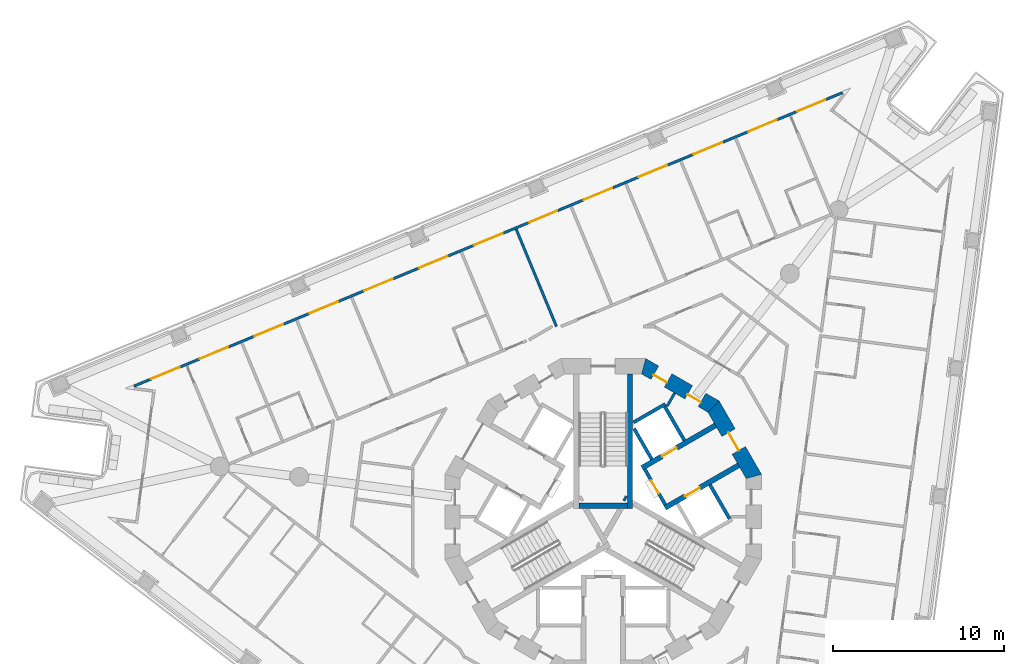
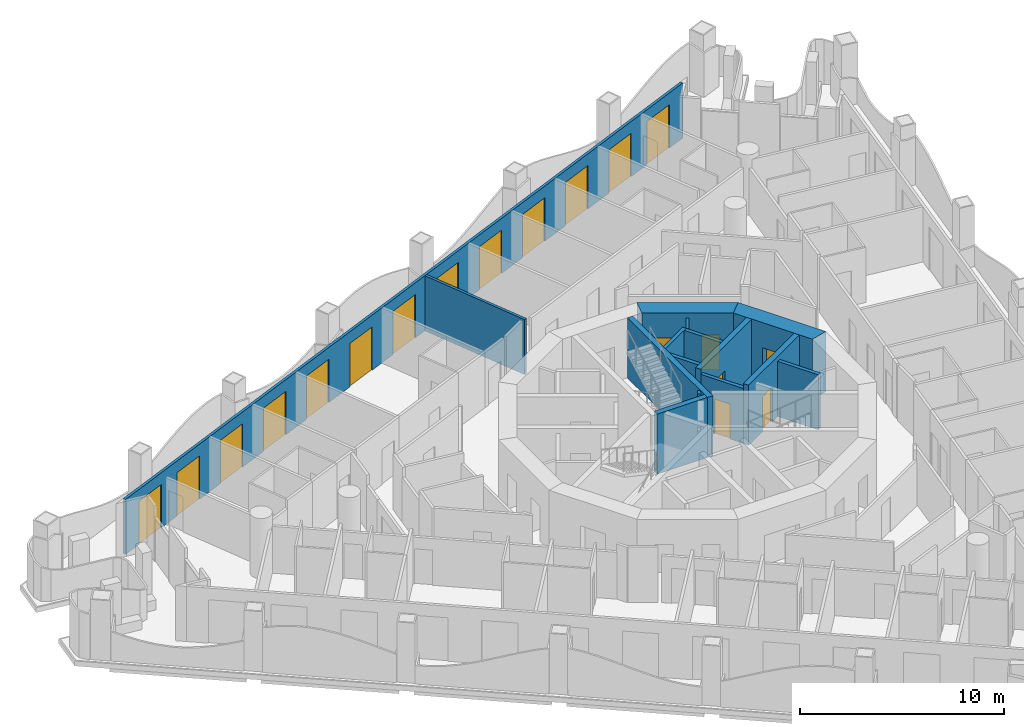
# One storey, part 8 of 17: 19 doors, 15 walls, 19 openings.
"""IFC4 building model written with IfcOpenShell, lengths in metres."""

from ifc_helpers import new_model, si_unit, direction, frame, frame_2d, origin, place, context, subcontext, project, spatial, polyline, rectangle, outline, extrude, material, layer, layer_set, type_object, element, fill, save


model = new_model("IFC4")

# Units and contexts
model_context = context("Model", 3, precision=1e-05, world=origin(), true_north=direction((0.0, 1.0)))
body_context = subcontext(model_context, "Body", "Model", "MODEL_VIEW")
ifc_project = project(units=[si_unit("LENGTHUNIT", "METRE"), si_unit("AREAUNIT", "SQUARE_METRE"), si_unit("VOLUMEUNIT", "CUBIC_METRE"), si_unit("PLANEANGLEUNIT", "RADIAN"), si_unit("MASSUNIT", "GRAM", prefix="KILO")], contexts=[model_context])

# Site, building, storey
site_placement = place(None, origin())
site = spatial("IfcSite", under=ifc_project, at=site_placement, CompositionType="ELEMENT")
building_placement = place(site_placement, origin())
building = spatial("IfcBuilding", under=site, at=building_placement, Name="Trine Commons Tower", CompositionType="ELEMENT")
storey_placement = place(building_placement, frame((0.0, 0.0, 131.39990234375)))
storey = spatial("IfcBuildingStorey", under=building, at=storey_placement, Name="L33", CompositionType="ELEMENT", Elevation=131.39990234375)

# Wall
ifc_material_1 = material(Name="Plasterboard partition on steel studs", Category="steel")
ifc_layer_1 = layer(ifc_material_1, 0.14990234375)
ifc_layer_set_1 = layer_set([ifc_layer_1], Name="Plasterboard partition on steel studs")
wall_type_1 = type_object("IfcWallType", Name="Core room partition 150 mm, EI 60", PredefinedType="PARTITIONING", material=ifc_layer_set_1)
wall_1_placement = place(storey_placement, frame((84.18603515625, 69.7509765625, 0.0), z_axis=(0.0, 0.0, 1.0), x_axis=(-0.499890179513, -0.866088799389, 0.0)))
element("IfcWall", 1, at=wall_1_placement, inside=storey, type_object=wall_type_1, Name="Core room partition L33", PredefinedType="PARTITIONING", context=body_context, shape_type="SweptSolid", body=[
    extrude(rectangle(XDim=0.882080078125, YDim=0.14990234375, at=frame_2d((0.44091796875, 0.0))), origin(), (0.0, 0.0, 1.0), 3.300048828125),
])

# Wall, openings, doors
ifc_material_2 = material(Name="Aluminium-framed insulated wall panel", Category="aluminium")
ifc_layer_2 = layer(ifc_material_2, 0.14990234375)
ifc_layer_set_2 = layer_set([ifc_layer_2], Name="Aluminium-framed insulated wall panel")
wall_type_2 = type_object("IfcWallType", Name="Glazed frame wall 150, EI 60", PredefinedType="SOLIDWALL", material=ifc_layer_set_2)
wall_2_placement = place(storey_placement, frame((52.38671875, 70.099609375, 0.0), z_axis=(0.0, 0.0, 1.0), x_axis=(0.92388051416, 0.382681062447, 0.0)))
wall_2 = element("IfcWall", 2, at=wall_2_placement, inside=storey, type_object=wall_type_2, Name="Glazed frame wall F1", PredefinedType="SOLIDWALL", context=body_context, shape_type="SweptSolid", body=[
    extrude(outline(polyline([(0.1494140625, 0.074951171875), (0.1494140625, -0.074951171875), (45.056884765625, -0.074951171875), (45.056884765625, 0.074951171875), (0.1494140625, 0.074951171875)])), origin(), (0.0, 0.0, 1.0), 3.300048828125),
])
opening_1_placement = place(wall_2_placement, frame((1.23876953125, 0.0, 0.0)))
opening_1 = element("IfcOpeningElement", 3, at=opening_1_placement, cuts=wall_2, Name="Opening BD-4F1-01", PredefinedType="OPENING", context=body_context, shape_type="SweptSolid", body=[
    extrude(rectangle(XDim=1.800048828125, YDim=2.60009765625, at=frame_2d((0.89990234375, 1.300048828125))), frame((0.0, 0.0849609375, 0.0), z_axis=(0.0, -1.0, 0.0), x_axis=(1.0, 0.0, 0.0)), (0.0, 0.0, 1.0), 0.169921875),
])
opening_2_placement = place(wall_2_placement, frame((4.316162109375, 0.0, 0.0)))
opening_2 = element("IfcOpeningElement", 4, at=opening_2_placement, cuts=wall_2, Name="Opening BD-4F1-02", PredefinedType="OPENING", context=body_context, shape_type="SweptSolid", body=[
    extrude(rectangle(XDim=1.800048828125, YDim=2.60009765625, at=frame_2d((0.89990234375, 1.300048828125))), frame((0.0, 0.0849609375, 0.0), z_axis=(0.0, -1.0, 0.0), x_axis=(1.0, 0.0, 0.0)), (0.0, 0.0, 1.0), 0.169921875),
])
opening_3_placement = place(wall_2_placement, frame((7.79345703125, 0.0, 0.0)))
opening_3 = element("IfcOpeningElement", 5, at=opening_3_placement, cuts=wall_2, Name="Opening BD-4F1-03", PredefinedType="OPENING", context=body_context, shape_type="SweptSolid", body=[
    extrude(rectangle(XDim=1.800048828125, YDim=2.60009765625, at=frame_2d((0.89990234375, 1.300048828125))), frame((0.0, 0.0849609375, 0.0), z_axis=(0.0, -1.0, 0.0), x_axis=(1.0, 0.0, 0.0)), (0.0, 0.0, 1.0), 0.169921875),
])
opening_4_placement = place(wall_2_placement, frame((11.27099609375, 0.0, 0.0)))
opening_4 = element("IfcOpeningElement", 6, at=opening_4_placement, cuts=wall_2, Name="Opening BD-4F1-04", PredefinedType="OPENING", context=body_context, shape_type="SweptSolid", body=[
    extrude(rectangle(XDim=1.800048828125, YDim=2.60009765625, at=frame_2d((0.89990234375, 1.300048828125))), frame((0.0, 0.0849609375, 0.0), z_axis=(0.0, -1.0, 0.0), x_axis=(1.0, 0.0, 0.0)), (0.0, 0.0, 1.0), 0.169921875),
])
opening_5_placement = place(wall_2_placement, frame((14.748291015625, 0.0, 0.0)))
opening_5 = element("IfcOpeningElement", 7, at=opening_5_placement, cuts=wall_2, Name="Opening BD-4F1-05", PredefinedType="OPENING", context=body_context, shape_type="SweptSolid", body=[
    extrude(rectangle(XDim=1.800048828125, YDim=2.60009765625, at=frame_2d((0.89990234375, 1.300048828125))), frame((0.0, 0.0849609375, 0.0), z_axis=(0.0, -1.0, 0.0), x_axis=(1.0, 0.0, 0.0)), (0.0, 0.0, 1.0), 0.169921875),
])
opening_6_placement = place(wall_2_placement, frame((18.2255859375, 0.0, 0.0)))
opening_6 = element("IfcOpeningElement", 8, at=opening_6_placement, cuts=wall_2, Name="Opening BD-4F1-06", PredefinedType="OPENING", context=body_context, shape_type="SweptSolid", body=[
    extrude(rectangle(XDim=1.800048828125, YDim=2.60009765625, at=frame_2d((0.89990234375, 1.300048828125))), frame((0.0, 0.0849609375, 0.0), z_axis=(0.0, -1.0, 0.0), x_axis=(1.0, 0.0, 0.0)), (0.0, 0.0, 1.0), 0.169921875),
])
opening_7_placement = place(wall_2_placement, frame((21.703125, 0.0, 0.0)))
opening_7 = element("IfcOpeningElement", 9, at=opening_7_placement, cuts=wall_2, Name="Opening BD-4F1-07", PredefinedType="OPENING", context=body_context, shape_type="SweptSolid", body=[
    extrude(rectangle(XDim=1.800048828125, YDim=2.60009765625, at=frame_2d((0.89990234375, 1.300048828125))), frame((0.0, 0.0849609375, 0.0), z_axis=(0.0, -1.0, 0.0), x_axis=(1.0, 0.0, 0.0)), (0.0, 0.0, 1.0), 0.169921875),
])
opening_8_placement = place(wall_2_placement, frame((25.180419921875, 0.0, 0.0)))
opening_8 = element("IfcOpeningElement", 10, at=opening_8_placement, cuts=wall_2, Name="Opening BD-4F1-08", PredefinedType="OPENING", context=body_context, shape_type="SweptSolid", body=[
    extrude(rectangle(XDim=1.800048828125, YDim=2.60009765625, at=frame_2d((0.89990234375, 1.300048828125))), frame((0.0, 0.0849609375, 0.0), z_axis=(0.0, -1.0, 0.0), x_axis=(1.0, 0.0, 0.0)), (0.0, 0.0, 1.0), 0.169921875),
])
opening_9_placement = place(wall_2_placement, frame((28.657958984375, 0.0, 0.0)))
opening_9 = element("IfcOpeningElement", 11, at=opening_9_placement, cuts=wall_2, Name="Opening BD-4F1-09", PredefinedType="OPENING", context=body_context, shape_type="SweptSolid", body=[
    extrude(rectangle(XDim=1.800048828125, YDim=2.60009765625, at=frame_2d((0.89990234375, 1.300048828125))), frame((0.0, 0.0849609375, 0.0), z_axis=(0.0, -1.0, 0.0), x_axis=(1.0, 0.0, 0.0)), (0.0, 0.0, 1.0), 0.169921875),
])
opening_10_placement = place(wall_2_placement, frame((32.13525390625, 0.0, 0.0)))
opening_10 = element("IfcOpeningElement", 12, at=opening_10_placement, cuts=wall_2, Name="Opening BD-4F1-10", PredefinedType="OPENING", context=body_context, shape_type="SweptSolid", body=[
    extrude(rectangle(XDim=1.800048828125, YDim=2.60009765625, at=frame_2d((0.89990234375, 1.300048828125))), frame((0.0, 0.0849609375, 0.0), z_axis=(0.0, -1.0, 0.0), x_axis=(1.0, 0.0, 0.0)), (0.0, 0.0, 1.0), 0.169921875),
])
opening_11_placement = place(wall_2_placement, frame((35.61279296875, 0.0, 0.0)))
opening_11 = element("IfcOpeningElement", 13, at=opening_11_placement, cuts=wall_2, Name="Opening BD-4F1-11", PredefinedType="OPENING", context=body_context, shape_type="SweptSolid", body=[
    extrude(rectangle(XDim=1.800048828125, YDim=2.60009765625, at=frame_2d((0.89990234375, 1.300048828125))), frame((0.0, 0.0849609375, 0.0), z_axis=(0.0, -1.0, 0.0), x_axis=(1.0, 0.0, 0.0)), (0.0, 0.0, 1.0), 0.169921875),
])
opening_12_placement = place(wall_2_placement, frame((39.090087890625, 0.0, 0.0)))
opening_12 = element("IfcOpeningElement", 14, at=opening_12_placement, cuts=wall_2, Name="Opening BD-4F1-12", PredefinedType="OPENING", context=body_context, shape_type="SweptSolid", body=[
    extrude(rectangle(XDim=1.800048828125, YDim=2.60009765625, at=frame_2d((0.89990234375, 1.300048828125))), frame((0.0, 0.0849609375, 0.0), z_axis=(0.0, -1.0, 0.0), x_axis=(1.0, 0.0, 0.0)), (0.0, 0.0, 1.0), 0.169921875),
])
opening_13_placement = place(wall_2_placement, frame((42.16748046875, 0.0, 0.0)))
opening_13 = element("IfcOpeningElement", 15, at=opening_13_placement, cuts=wall_2, Name="Opening BD-4F1-13", PredefinedType="OPENING", context=body_context, shape_type="SweptSolid", body=[
    extrude(rectangle(XDim=1.800048828125, YDim=2.60009765625, at=frame_2d((0.89990234375, 1.300048828125))), frame((0.0, 0.0849609375, 0.0), z_axis=(0.0, -1.0, 0.0), x_axis=(1.0, 0.0, 0.0)), (0.0, 0.0, 1.0), 0.169921875),
])
ifc_material_3 = material(Name="Anodised aluminium frame with double glazing", Category="aluminium")
door_type_1 = type_object("IfcDoorType", Name="Sliding loggia door 1800x2600", OperationType="SLIDING_TO_LEFT", PredefinedType="DOOR", material=ifc_material_3)
door_1_placement = place(opening_1_placement, origin())
door_1 = element("IfcDoor", 16, at=door_1_placement, inside=storey, type_object=door_type_1, Name="Loggia door F1 1", OperationType="SLIDING_TO_LEFT", OverallHeight=2.60009765625, OverallWidth=1.800048828125, PredefinedType="DOOR", context=body_context, shape_type="SweptSolid", body=[
    extrude(rectangle(XDim=1.800048828125, YDim=2.60009765625, at=frame_2d((0.89990234375, 1.300048828125))), frame((0.0, 0.02490234375, 0.0), z_axis=(0.0, -1.0, 0.0), x_axis=(1.0, 0.0, 0.0)), (0.0, 0.0, 1.0), 0.050048828125),
])
fill(opening_1, door_1)
door_2_placement = place(opening_2_placement, origin())
door_2 = element("IfcDoor", 17, at=door_2_placement, inside=storey, type_object=door_type_1, Name="Loggia door F1 2", OperationType="SLIDING_TO_LEFT", OverallHeight=2.60009765625, OverallWidth=1.800048828125, PredefinedType="DOOR", context=body_context, shape_type="SweptSolid", body=[
    extrude(rectangle(XDim=1.800048828125, YDim=2.60009765625, at=frame_2d((0.89990234375, 1.300048828125))), frame((0.0, 0.02490234375, 0.0), z_axis=(0.0, -1.0, 0.0), x_axis=(1.0, 0.0, 0.0)), (0.0, 0.0, 1.0), 0.050048828125),
])
fill(opening_2, door_2)
door_3_placement = place(opening_3_placement, origin())
door_3 = element("IfcDoor", 18, at=door_3_placement, inside=storey, type_object=door_type_1, Name="Loggia door F1 3", OperationType="SLIDING_TO_LEFT", OverallHeight=2.60009765625, OverallWidth=1.800048828125, PredefinedType="DOOR", context=body_context, shape_type="SweptSolid", body=[
    extrude(rectangle(XDim=1.800048828125, YDim=2.60009765625, at=frame_2d((0.89990234375, 1.300048828125))), frame((0.0, 0.02490234375, 0.0), z_axis=(0.0, -1.0, 0.0), x_axis=(1.0, 0.0, 0.0)), (0.0, 0.0, 1.0), 0.050048828125),
])
fill(opening_3, door_3)
door_4_placement = place(opening_4_placement, origin())
door_4 = element("IfcDoor", 19, at=door_4_placement, inside=storey, type_object=door_type_1, Name="Loggia door F1 4", OperationType="SLIDING_TO_LEFT", OverallHeight=2.60009765625, OverallWidth=1.800048828125, PredefinedType="DOOR", context=body_context, shape_type="SweptSolid", body=[
    extrude(rectangle(XDim=1.800048828125, YDim=2.60009765625, at=frame_2d((0.89990234375, 1.300048828125))), frame((0.0, 0.02490234375, 0.0), z_axis=(0.0, -1.0, 0.0), x_axis=(1.0, 0.0, 0.0)), (0.0, 0.0, 1.0), 0.050048828125),
])
fill(opening_4, door_4)
door_5_placement = place(opening_5_placement, origin())
door_5 = element("IfcDoor", 20, at=door_5_placement, inside=storey, type_object=door_type_1, Name="Loggia door F1 5", OperationType="SLIDING_TO_LEFT", OverallHeight=2.60009765625, OverallWidth=1.800048828125, PredefinedType="DOOR", context=body_context, shape_type="SweptSolid", body=[
    extrude(rectangle(XDim=1.800048828125, YDim=2.60009765625, at=frame_2d((0.89990234375, 1.300048828125))), frame((0.0, 0.02490234375, 0.0), z_axis=(0.0, -1.0, 0.0), x_axis=(1.0, 0.0, 0.0)), (0.0, 0.0, 1.0), 0.050048828125),
])
fill(opening_5, door_5)
door_6_placement = place(opening_6_placement, origin())
door_6 = element("IfcDoor", 21, at=door_6_placement, inside=storey, type_object=door_type_1, Name="Loggia door F1 6", OperationType="SLIDING_TO_LEFT", OverallHeight=2.60009765625, OverallWidth=1.800048828125, PredefinedType="DOOR", context=body_context, shape_type="SweptSolid", body=[
    extrude(rectangle(XDim=1.800048828125, YDim=2.60009765625, at=frame_2d((0.89990234375, 1.300048828125))), frame((0.0, 0.02490234375, 0.0), z_axis=(0.0, -1.0, 0.0), x_axis=(1.0, 0.0, 0.0)), (0.0, 0.0, 1.0), 0.050048828125),
])
fill(opening_6, door_6)
door_7_placement = place(opening_7_placement, origin())
door_7 = element("IfcDoor", 22, at=door_7_placement, inside=storey, type_object=door_type_1, Name="Loggia door F1 7", OperationType="SLIDING_TO_LEFT", OverallHeight=2.60009765625, OverallWidth=1.800048828125, PredefinedType="DOOR", context=body_context, shape_type="SweptSolid", body=[
    extrude(rectangle(XDim=1.800048828125, YDim=2.60009765625, at=frame_2d((0.89990234375, 1.300048828125))), frame((0.0, 0.02490234375, 0.0), z_axis=(0.0, -1.0, 0.0), x_axis=(1.0, 0.0, 0.0)), (0.0, 0.0, 1.0), 0.050048828125),
])
fill(opening_7, door_7)
door_8_placement = place(opening_8_placement, origin())
door_8 = element("IfcDoor", 23, at=door_8_placement, inside=storey, type_object=door_type_1, Name="Loggia door F1 8", OperationType="SLIDING_TO_LEFT", OverallHeight=2.60009765625, OverallWidth=1.800048828125, PredefinedType="DOOR", context=body_context, shape_type="SweptSolid", body=[
    extrude(rectangle(XDim=1.800048828125, YDim=2.60009765625, at=frame_2d((0.89990234375, 1.300048828125))), frame((0.0, 0.02490234375, 0.0), z_axis=(0.0, -1.0, 0.0), x_axis=(1.0, 0.0, 0.0)), (0.0, 0.0, 1.0), 0.050048828125),
])
fill(opening_8, door_8)
door_9_placement = place(opening_9_placement, origin())
door_9 = element("IfcDoor", 24, at=door_9_placement, inside=storey, type_object=door_type_1, Name="Loggia door F1 9", OperationType="SLIDING_TO_LEFT", OverallHeight=2.60009765625, OverallWidth=1.800048828125, PredefinedType="DOOR", context=body_context, shape_type="SweptSolid", body=[
    extrude(rectangle(XDim=1.800048828125, YDim=2.60009765625, at=frame_2d((0.89990234375, 1.300048828125))), frame((0.0, 0.02490234375, 0.0), z_axis=(0.0, -1.0, 0.0), x_axis=(1.0, 0.0, 0.0)), (0.0, 0.0, 1.0), 0.050048828125),
])
fill(opening_9, door_9)
door_10_placement = place(opening_10_placement, origin())
door_10 = element("IfcDoor", 25, at=door_10_placement, inside=storey, type_object=door_type_1, Name="Loggia door F1 10", OperationType="SLIDING_TO_LEFT", OverallHeight=2.60009765625, OverallWidth=1.800048828125, PredefinedType="DOOR", context=body_context, shape_type="SweptSolid", body=[
    extrude(rectangle(XDim=1.800048828125, YDim=2.60009765625, at=frame_2d((0.89990234375, 1.300048828125))), frame((0.0, 0.02490234375, 0.0), z_axis=(0.0, -1.0, 0.0), x_axis=(1.0, 0.0, 0.0)), (0.0, 0.0, 1.0), 0.050048828125),
])
fill(opening_10, door_10)
door_11_placement = place(opening_11_placement, origin())
door_11 = element("IfcDoor", 26, at=door_11_placement, inside=storey, type_object=door_type_1, Name="Loggia door F1 11", OperationType="SLIDING_TO_LEFT", OverallHeight=2.60009765625, OverallWidth=1.800048828125, PredefinedType="DOOR", context=body_context, shape_type="SweptSolid", body=[
    extrude(rectangle(XDim=1.800048828125, YDim=2.60009765625, at=frame_2d((0.89990234375, 1.300048828125))), frame((0.0, 0.02490234375, 0.0), z_axis=(0.0, -1.0, 0.0), x_axis=(1.0, 0.0, 0.0)), (0.0, 0.0, 1.0), 0.050048828125),
])
fill(opening_11, door_11)
door_12_placement = place(opening_12_placement, origin())
door_12 = element("IfcDoor", 27, at=door_12_placement, inside=storey, type_object=door_type_1, Name="Loggia door F1 12", OperationType="SLIDING_TO_LEFT", OverallHeight=2.60009765625, OverallWidth=1.800048828125, PredefinedType="DOOR", context=body_context, shape_type="SweptSolid", body=[
    extrude(rectangle(XDim=1.800048828125, YDim=2.60009765625, at=frame_2d((0.89990234375, 1.300048828125))), frame((0.0, 0.02490234375, 0.0), z_axis=(0.0, -1.0, 0.0), x_axis=(1.0, 0.0, 0.0)), (0.0, 0.0, 1.0), 0.050048828125),
])
fill(opening_12, door_12)
door_13_placement = place(opening_13_placement, origin())
door_13 = element("IfcDoor", 28, at=door_13_placement, inside=storey, type_object=door_type_1, Name="Loggia door F1 13", OperationType="SLIDING_TO_LEFT", OverallHeight=2.60009765625, OverallWidth=1.800048828125, PredefinedType="DOOR", context=body_context, shape_type="SweptSolid", body=[
    extrude(rectangle(XDim=1.800048828125, YDim=2.60009765625, at=frame_2d((0.89990234375, 1.300048828125))), frame((0.0, 0.02490234375, 0.0), z_axis=(0.0, -1.0, 0.0), x_axis=(1.0, 0.0, 0.0)), (0.0, 0.0, 1.0), 0.050048828125),
])
fill(opening_13, door_13)

# Wall, opening, door
ifc_material_4 = material(Name="Fire-rated gypsum shaft wall system")
ifc_layer_3 = layer(ifc_material_4, 0.199951171875)
ifc_layer_set_3 = layer_set([ifc_layer_3], Name="Fire-rated gypsum shaft wall system")
wall_type_3 = type_object("IfcWallType", Name="Lobby end wall 200 mm, EI 120", PredefinedType="PARTITIONING", material=ifc_layer_set_3)
wall_3_placement = place(storey_placement, frame((83.631103515625, 63.2109375, 0.0), z_axis=(0.0, 0.0, 1.0), x_axis=(-0.50012165622, 0.865955154139, 0.0)))
wall_3 = element("IfcWall", 29, at=wall_3_placement, inside=storey, type_object=wall_type_3, Name="Lobby end wall L33", PredefinedType="PARTITIONING", context=body_context, shape_type="SweptSolid", body=[
    extrude(rectangle(XDim=2.39990234375, YDim=0.199951171875, at=frame_2d((1.199951171875, 0.0))), origin(), (0.0, 0.0, 1.0), 3.300048828125),
])
opening_14_placement = place(wall_3_placement, frame((0.749755859375, 0.0, 0.0)))
opening_14 = element("IfcOpeningElement", 30, at=opening_14_placement, cuts=wall_3, Name="Opening K12.05", PredefinedType="OPENING", context=body_context, shape_type="SweptSolid", body=[
    extrude(rectangle(XDim=0.89990234375, YDim=2.10009765625, at=frame_2d((0.449951171875, 1.050048828125))), frame((0.0, 0.10986328125, 0.0), z_axis=(0.0, -1.0, 0.0), x_axis=(1.0, 0.0, 0.0)), (0.0, 0.0, 1.0), 0.219970703125),
])
ifc_material_5 = material(Name="Steel door leaf, fire-rated", Category="steel")
door_type_2 = type_object("IfcDoorType", Name="Riser access door, single leaf 900 x 2100, FD60", OperationType="SINGLE_SWING_LEFT", PredefinedType="DOOR", material=ifc_material_5)
door_14_placement = place(opening_14_placement, frame((0.89990234375, 0.0, 0.0), z_axis=(0.0, 0.0, 1.0), x_axis=(-1.0, 0.0, 0.0)))
door_14 = element("IfcDoor", 31, at=door_14_placement, inside=storey, type_object=door_type_2, Name="Riser door, Electrical riser L33", OperationType="SINGLE_SWING_LEFT", OverallHeight=2.10009765625, OverallWidth=0.89990234375, PredefinedType="DOOR", context=body_context, shape_type="SweptSolid", body=[
    extrude(rectangle(XDim=0.89990234375, YDim=2.10009765625, at=frame_2d((0.449951171875, 1.050048828125))), frame((0.0, 0.02490234375, 0.0), z_axis=(0.0, -1.0, 0.0), x_axis=(1.0, 0.0, 0.0)), (0.0, 0.0, 1.0), 0.050048828125),
])
fill(opening_14, door_14)

ifc_material_6 = material(Name="Concrete C70/85", Category="concrete")
ifc_layer_4 = layer(ifc_material_6, 0.300048828125)
ifc_layer_set_4 = layer_set([ifc_layer_4], Name="Concrete C70/85")
wall_type_4 = type_object("IfcWallType", Name="RC shear wall 300 mm, C70/85", PredefinedType="SHEAR", material=ifc_layer_set_4)
wall_4_placement = place(storey_placement, frame((82.26904296875, 65.368896484375, 0.0), z_axis=(0.0, 0.0, 1.0), x_axis=(0.865983655544, 0.500072303102, 0.0)))
wall_4 = element("IfcWall", 32, at=wall_4_placement, inside=storey, type_object=wall_type_4, Name="Core cross wall SWB-05 L33", PredefinedType="SHEAR", context=body_context, shape_type="SweptSolid", body=[
    extrude(rectangle(XDim=4.973388671875, YDim=0.300048828125, at=frame_2d((2.48681640625, 0.0))), origin(), (0.0, 0.0, 1.0), 3.60009765625),
])
opening_15_placement = place(wall_4_placement, frame((1.3505859375, 0.0, 0.0)))
opening_15 = element("IfcOpeningElement", 33, at=opening_15_placement, cuts=wall_4, Name="Opening LD5", PredefinedType="OPENING", context=body_context, shape_type="SweptSolid", body=[
    extrude(rectangle(XDim=1.0, YDim=2.10009765625, at=frame_2d((0.5, 1.050048828125))), frame((0.0, 0.159912109375, 0.0), z_axis=(0.0, -1.0, 0.0), x_axis=(1.0, 0.0, 0.0)), (0.0, 0.0, 1.0), 0.320068359375),
])
ifc_material_7 = material(Name="Stainless steel sliding door leaves", Category="steel")
door_type_3 = type_object("IfcDoorType", Name="Lift landing door, centre-opening sliding 1000 x 2100, FD90", OperationType="DOUBLE_DOOR_SLIDING", PredefinedType="DOOR", material=ifc_material_7)
door_15_placement = place(opening_15_placement, origin())
door_15 = element("IfcDoor", 34, at=door_15_placement, inside=storey, type_object=door_type_3, Name="Lift landing door HR1 L33", OperationType="DOUBLE_DOOR_SLIDING", OverallHeight=2.10009765625, OverallWidth=1.0, PredefinedType="DOOR", context=body_context, shape_type="SweptSolid", body=[
    extrude(rectangle(XDim=1.0, YDim=2.10009765625, at=frame_2d((0.5, 1.050048828125))), frame((0.0, 0.02490234375, 0.0), z_axis=(0.0, -1.0, 0.0), x_axis=(1.0, 0.0, 0.0)), (0.0, 0.0, 1.0), 0.050048828125),
])
fill(opening_15, door_15)

wall_5_placement = place(storey_placement, frame((83.618896484375, 63.031005859375, 0.0), z_axis=(0.0, 0.0, 1.0), x_axis=(0.866080953719, 0.499903772346, 0.0)))
wall_5 = element("IfcWall", 35, at=wall_5_placement, inside=storey, type_object=wall_type_4, Name="Core cross wall SWB-06 L33", PredefinedType="SHEAR", context=body_context, shape_type="SweptSolid", body=[
    extrude(rectangle(XDim=4.97314453125, YDim=0.300048828125, at=frame_2d((2.486572265625, 0.0))), origin(), (0.0, 0.0, 1.0), 3.60009765625),
])
opening_16_placement = place(wall_5_placement, frame((1.350341796875, 0.0, 0.0)))
opening_16 = element("IfcOpeningElement", 36, at=opening_16_placement, cuts=wall_5, Name="Opening LD6", PredefinedType="OPENING", context=body_context, shape_type="SweptSolid", body=[
    extrude(rectangle(XDim=1.0, YDim=2.10009765625, at=frame_2d((0.5, 1.050048828125))), frame((0.0, 0.159912109375, 0.0), z_axis=(0.0, -1.0, 0.0), x_axis=(1.0, 0.0, 0.0)), (0.0, 0.0, 1.0), 0.320068359375),
])
door_16_placement = place(opening_16_placement, origin())
door_16 = element("IfcDoor", 37, at=door_16_placement, inside=storey, type_object=door_type_3, Name="Lift landing door HR2 L33", OperationType="DOUBLE_DOOR_SLIDING", OverallHeight=2.10009765625, OverallWidth=1.0, PredefinedType="DOOR", context=body_context, shape_type="SweptSolid", body=[
    extrude(rectangle(XDim=1.0, YDim=2.10009765625, at=frame_2d((0.5, 1.050048828125))), frame((0.0, 0.02490234375, 0.0), z_axis=(0.0, -1.0, 0.0), x_axis=(1.0, 0.0, 0.0)), (0.0, 0.0, 1.0), 0.050048828125),
])
fill(opening_16, door_16)

# Walls
wall_6_placement = place(storey_placement, frame((81.220947265625, 63.614013671875, 0.0), z_axis=(0.0, 0.0, 1.0), x_axis=(0.867737973955, -0.497021939713, 0.0)))
element("IfcWall", 38, at=wall_6_placement, inside=storey, type_object=wall_type_4, Name="Core cross wall SWB-15 L33", PredefinedType="SHEAR", context=body_context, shape_type="SweptSolid", body=[
    extrude(rectangle(XDim=0.14892578125, YDim=0.300048828125, at=frame_2d((0.074462890625, 0.0))), origin(), (0.0, 0.0, 1.0), 3.60009765625),
])
wall_7_placement = place(storey_placement, frame((81.425048828125, 63.15087890625, 0.0), z_axis=(0.0, 0.0, 1.0), x_axis=(-1.0, 0.0, 0.0)))
element("IfcWall", 39, at=wall_7_placement, inside=storey, type_object=wall_type_4, Name="Core cross wall SWB-16 L33", PredefinedType="SHEAR", context=body_context, shape_type="SweptSolid", body=[
    extrude(rectangle(XDim=2.85009765625, YDim=0.300048828125, at=frame_2d((1.425048828125, 0.0))), origin(), (0.0, 0.0, 1.0), 3.60009765625),
])
wall_8_placement = place(storey_placement, frame((81.574951171875, 63.0009765625, 0.0), z_axis=(0.0, 0.0, 1.0), x_axis=(0.0, 1.0, 0.0)))
element("IfcWall", 40, at=wall_8_placement, inside=storey, type_object=wall_type_4, Name="Core cross wall SWB-17 L33", PredefinedType="SHEAR", context=body_context, shape_type="SweptSolid", body=[
    extrude(rectangle(XDim=7.8720703125, YDim=0.300048828125, at=frame_2d((3.93603515625, 0.0))), origin(), (0.0, 0.0, 1.0), 3.60009765625),
])

# Wall, opening, door
ifc_layer_5 = layer(ifc_material_6, 0.89990234375)
ifc_layer_set_5 = layer_set([ifc_layer_5], Name="Concrete C70/85")
wall_type_5 = type_object("IfcWallType", Name="RC shear wall 900 mm, C70/85", PredefinedType="SHEAR", material=ifc_layer_set_5)
wall_9_placement = place(storey_placement, frame((88.88330078125, 64.759765625, 0.0), z_axis=(0.0, 0.0, 1.0), x_axis=(-0.500038571144, 0.866003133579, 0.0)))
wall_9 = element("IfcWall", 41, at=wall_9_placement, inside=storey, type_object=wall_type_5, Name="Core wall CWD-02 L33", PredefinedType="SHEAR", context=body_context, shape_type="SweptSolid", body=[
    extrude(outline(polyline([(0.0, -0.449951171875), (4.96923828125, -0.449951171875), (4.72802734375, 0.449951171875), (0.2412109375, 0.449951171875), (0.0, -0.449951171875)])), origin(), (0.0, 0.0, 1.0), 3.60009765625),
])
opening_17_placement = place(wall_9_placement, frame((1.884521484375, 0.0, 0.0)))
opening_17 = element("IfcOpeningElement", 42, at=opening_17_placement, cuts=wall_9, Name="Opening K12.04", PredefinedType="OPENING", context=body_context, shape_type="SweptSolid", body=[
    extrude(rectangle(XDim=1.199951171875, YDim=2.10009765625, at=frame_2d((0.60009765625, 1.050048828125))), frame((0.0, 0.4599609375, 0.0), z_axis=(0.0, -1.0, 0.0), x_axis=(1.0, 0.0, 0.0)), (0.0, 0.0, 1.0), 0.919921875),
])
ifc_material_8 = material(Name="Steel door leaves, fire-rated", Category="steel")
door_type_4 = type_object("IfcDoorType", Name="Lobby door, double leaf 1200 x 2100, FD60", OperationType="DOUBLE_DOOR_SINGLE_SWING", PredefinedType="DOOR", material=ifc_material_8)
door_17_placement = place(opening_17_placement, origin())
door_17 = element("IfcDoor", 43, at=door_17_placement, inside=storey, type_object=door_type_4, Name="Lobby door, Passenger lift lobby A L33", OperationType="DOUBLE_DOOR_SINGLE_SWING", OverallHeight=2.10009765625, OverallWidth=1.199951171875, PredefinedType="DOOR", context=body_context, shape_type="SweptSolid", body=[
    extrude(rectangle(XDim=1.199951171875, YDim=2.10009765625, at=frame_2d((0.60009765625, 1.050048828125))), frame((0.0, 0.02490234375, 0.0), z_axis=(0.0, -1.0, 0.0), x_axis=(1.0, 0.0, 0.0)), (0.0, 0.0, 1.0), 0.050048828125),
])
fill(opening_17, door_17)

# Wall, openings, doors
wall_10_placement = place(storey_placement, frame((86.563232421875, 68.8984375, 0.0), z_axis=(0.0, 0.0, 1.0), x_axis=(-0.866003133579, 0.500038571144, 0.0)))
wall_10 = element("IfcWall", 44, at=wall_10_placement, inside=storey, type_object=wall_type_5, Name="Core wall CWD-03 L33", PredefinedType="SHEAR", context=body_context, shape_type="SweptSolid", body=[
    extrude(outline(polyline([(0.0, -0.449951171875), (4.96923828125, -0.449951171875), (4.72802734375, 0.449951171875), (0.2412109375, 0.449951171875), (0.0, -0.449951171875)])), origin(), (0.0, 0.0, 1.0), 3.60009765625),
])
opening_18_placement = place(wall_10_placement, frame((0.89599609375, 0.0, 0.0)))
opening_18 = element("IfcOpeningElement", 45, at=opening_18_placement, cuts=wall_10, Name="Opening K12.12", PredefinedType="OPENING", context=body_context, shape_type="SweptSolid", body=[
    extrude(rectangle(XDim=0.89990234375, YDim=2.10009765625, at=frame_2d((0.449951171875, 1.050048828125))), frame((0.0, 0.4599609375, 0.0), z_axis=(0.0, -1.0, 0.0), x_axis=(1.0, 0.0, 0.0)), (0.0, 0.0, 1.0), 0.919921875),
])
opening_19_placement = place(wall_10_placement, frame((3.18505859375, 0.0, 0.0)))
opening_19 = element("IfcOpeningElement", 46, at=opening_19_placement, cuts=wall_10, Name="Opening K12.13", PredefinedType="OPENING", context=body_context, shape_type="SweptSolid", body=[
    extrude(rectangle(XDim=0.89990234375, YDim=2.10009765625, at=frame_2d((0.449951171875, 1.050048828125))), frame((0.0, 0.4599609375, 0.0), z_axis=(0.0, -1.0, 0.0), x_axis=(1.0, 0.0, 0.0)), (0.0, 0.0, 1.0), 0.919921875),
])
door_type_5 = type_object("IfcDoorType", Name="Core room door, single leaf 900 x 2100, FD30S", OperationType="SINGLE_SWING_LEFT", PredefinedType="DOOR", material=ifc_material_5)
door_18_placement = place(opening_18_placement, origin())
door_18 = element("IfcDoor", 47, at=door_18_placement, inside=storey, type_object=door_type_5, Name="Door to Parcel store L33", OperationType="SINGLE_SWING_LEFT", OverallHeight=2.10009765625, OverallWidth=0.89990234375, PredefinedType="DOOR", context=body_context, shape_type="SweptSolid", body=[
    extrude(rectangle(XDim=0.89990234375, YDim=2.10009765625, at=frame_2d((0.449951171875, 1.050048828125))), frame((0.0, 0.1748046875, 0.0), z_axis=(0.0, -1.0, 0.0), x_axis=(1.0, 0.0, 0.0)), (0.0, 0.0, 1.0), 0.050048828125),
])
fill(opening_18, door_18)
door_19_placement = place(opening_19_placement, origin())
door_19 = element("IfcDoor", 48, at=door_19_placement, inside=storey, type_object=door_type_5, Name="Door to Print room L33", OperationType="SINGLE_SWING_RIGHT", OverallHeight=2.10009765625, OverallWidth=0.89990234375, PredefinedType="DOOR", context=body_context, shape_type="SweptSolid", body=[
    extrude(rectangle(XDim=0.89990234375, YDim=2.10009765625, at=frame_2d((0.449951171875, 1.050048828125))), frame((0.0, 0.1748046875, 0.0), z_axis=(0.0, -1.0, 0.0), x_axis=(1.0, 0.0, 0.0)), (0.0, 0.0, 1.0), 0.050048828125),
])
fill(opening_19, door_19)

# Walls
ifc_layer_6 = layer(ifc_material_4, 0.199951171875)
ifc_layer_set_6 = layer_set([ifc_layer_6], Name="Fire-rated gypsum shaft wall system")
wall_type_6 = type_object("IfcWallType", Name="Shaft wall 200 mm, EI 120", PredefinedType="PARTITIONING", material=ifc_layer_set_6)
wall_11_placement = place(storey_placement, frame((81.77490234375, 68.028076171875, 0.0), z_axis=(0.0, 0.0, 1.0), x_axis=(0.866130725101, 0.499817533742, 0.0)))
element("IfcWall", 49, at=wall_11_placement, inside=storey, type_object=wall_type_6, Name="Shaft wall L33", PredefinedType="PARTITIONING", context=body_context, shape_type="SweptSolid", body=[
    extrude(rectangle(XDim=2.148681640625, YDim=0.199951171875, at=frame_2d((1.07421875, 0.0))), origin(), (0.0, 0.0, 1.0), 3.300048828125),
])
wall_12_placement = place(storey_placement, frame((82.843994140625, 65.8740234375, 0.0), z_axis=(0.0, 0.0, 1.0), x_axis=(-0.499865770674, 0.866102887253, 0.0)))
element("IfcWall", 50, at=wall_12_placement, inside=storey, type_object=wall_type_6, Name="Shaft wall L33", PredefinedType="PARTITIONING", context=body_context, shape_type="SweptSolid", body=[
    extrude(rectangle(XDim=2.064453125, YDim=0.199951171875, at=frame_2d((1.0322265625, 0.0))), origin(), (0.0, 0.0, 1.0), 3.300048828125),
])
for number, where, z_axis, x_axis, name in (
    (51, (84.7490234375, 66.97412109375, 0.0), (0.0, 0.0, 1.0), (-0.500136062276, 0.86594683394, 0.0), "Shaft wall L33"),
    (52, (86.2490234375, 64.3759765625, 0.0), (0.0, 0.0, 1.0), (0.500136062276, -0.86594683394, 0.0), "Shaft wall L33"),
):
    element("IfcWall", number, at=place(storey_placement, frame(where, z_axis=z_axis, x_axis=x_axis)), inside=storey, type_object=wall_type_6, Name=name, PredefinedType="PARTITIONING", context=body_context, shape_type="SweptSolid", body=[
        extrude(rectangle(XDim=2.299072265625, YDim=0.199951171875, at=frame_2d((1.1494140625, 0.0))), origin(), (0.0, 0.0, 1.0), 3.300048828125),
    ])
ifc_material_9 = material(Name="Gypsum plasterboard on steel stud", Category="steel")
ifc_layer_7 = layer(ifc_material_9, 0.14990234375)
ifc_layer_set_7 = layer_set([ifc_layer_7], Name="Gypsum plasterboard on steel stud")
wall_type_7 = type_object("IfcWallType", Name="Unit and corridor wall 150 mm, EI 60", PredefinedType="PARTITIONING", material=ifc_layer_set_7)
wall_13_placement = place(storey_placement, frame((74.904296875, 79.344970703125, 0.0), z_axis=(0.0, 0.0, 1.0), x_axis=(0.382660672574, -0.923888959597, 0.0)))
element("IfcWall", 53, at=wall_13_placement, inside=storey, type_object=wall_type_7, Name="Partition 054", PredefinedType="PARTITIONING", context=body_context, shape_type="SweptSolid", body=[
    extrude(rectangle(XDim=6.166259765625, YDim=0.14990234375, at=frame_2d((3.0830078125, 0.0))), origin(), (0.0, 0.0, 1.0), 3.300048828125),
])

save(model, "model.ifc")
